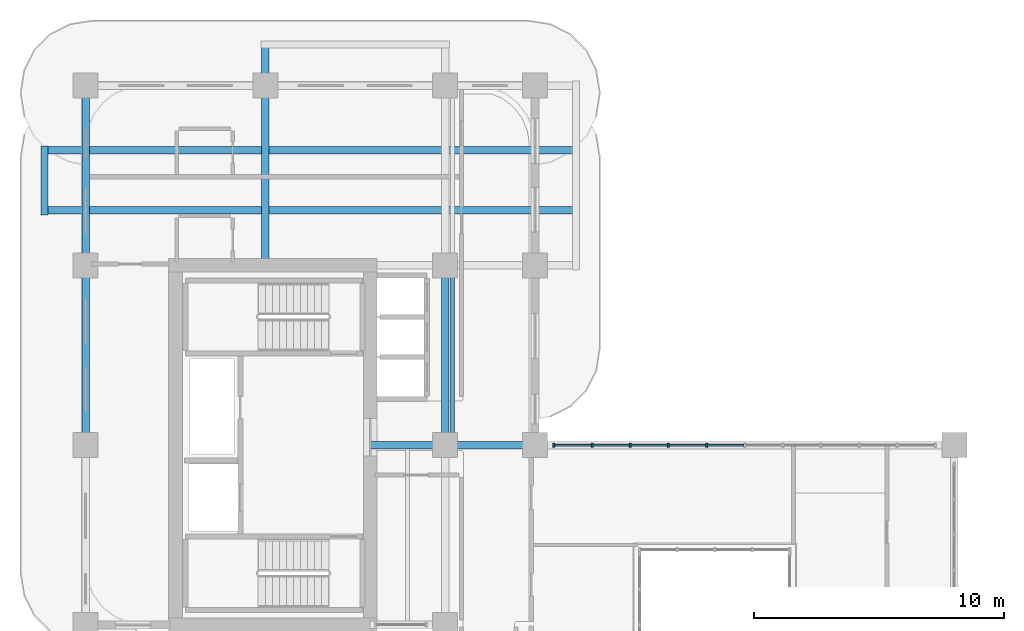
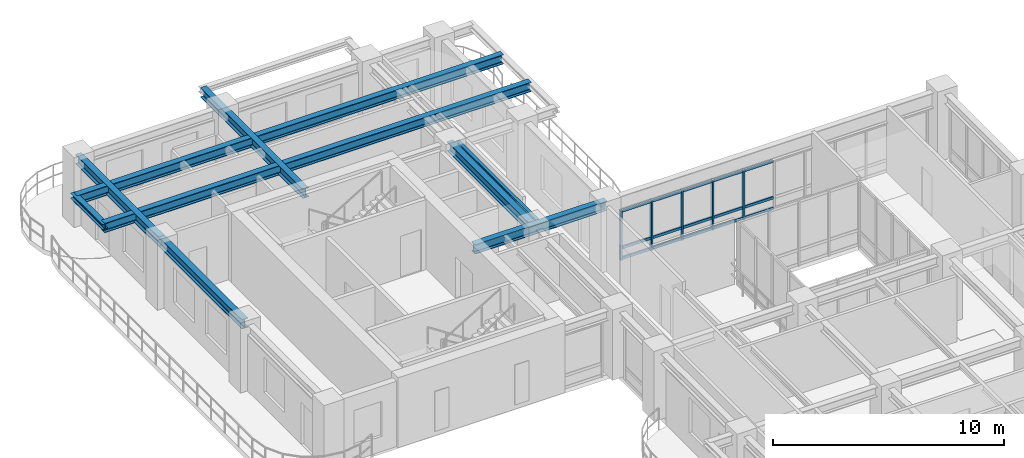
# One storey, part 5 of 20: 20 members, 9 beams, 1 element without a shape of its own.
"""IFC4 building model written with IfcOpenShell, lengths in metres."""

import ifcopenshell
import ifcopenshell.guid

model = None  # the IFC model being written
_history = None  # IfcOwnerHistory: only IFC2X3 demands one
_inside = {}  # id of a spatial element -> (the spatial element, [elements in it])
_under = {}  # id of a project, library or spatial element -> (it, [spatial elements below it])
_declared = {}  # id of a project -> (the project, [libraries it declares])
_typed = {}  # id of a type object -> (the type object, [elements of that type])
_made_of = {}  # id of a material, layer set ... -> (it, [elements and type objects made of it])


def new_model(schema):
    """Start an empty IFC model of exactly this schema.

    Asked for "IFC4X3", IfcOpenShell would pick the latest addendum, in which some entities
    have other attributes; the version numbers below select the first issue.
    IFC2X3 requires an IfcOwnerHistory on every rooted entity: one is made here for all.
    """
    global model, _history
    if schema == "IFC4X3":
        model = ifcopenshell.file(schema_version=(4, 3, 0, 0))
    else:
        model = ifcopenshell.file(schema=schema)
    _inside.clear()
    _under.clear()
    _declared.clear()
    _typed.clear()
    _made_of.clear()
    _history = None
    if model.schema == "IFC2X3":
        org = make("IfcOrganization", Name="unknown")
        user = make(
            "IfcPersonAndOrganization",
            ThePerson=make("IfcPerson", FamilyName="unknown"),
            TheOrganization=org,
        )
        app = make(
            "IfcApplication",
            ApplicationDeveloper=org,
            Version="unknown",
            ApplicationFullName="unknown",
            ApplicationIdentifier="unknown",
        )
        _history = make(
            "IfcOwnerHistory",
            OwningUser=user,
            OwningApplication=app,
            ChangeAction="ADDED",
            CreationDate=0,
        )
    return model


def make(cls, **values):
    """One entity of the class cls with the attributes given. An attribute that is None is left unset."""
    return model.create_entity(
        cls, **{name: value for name, value in values.items() if value is not None}
    )


def rooted(cls, **values):
    """An entity with a GlobalId (a new one), such as an element, a storey or a relation."""
    return make(cls, GlobalId=ifcopenshell.guid.new(), OwnerHistory=_history, **values)


def si_unit(unit_type, name, prefix=None):
    """IfcSIUnit, for example si_unit("LENGTHUNIT", "METRE", prefix="MILLI")."""
    return make("IfcSIUnit", UnitType=unit_type, Prefix=prefix, Name=name)


def derived_unit(unit_type, elements):
    """IfcDerivedUnit: a product of units, each with its exponent."""
    return make(
        "IfcDerivedUnit",
        Elements=[
            make("IfcDerivedUnitElement", Unit=unit, Exponent=power)
            for unit, power in elements
        ],
        UnitType=unit_type,
    )


def assignment(units):
    """IfcUnitAssignment: the units of a project."""
    return None if units is None else make("IfcUnitAssignment", Units=units)


def point(xyz):
    """IfcCartesianPoint."""
    return None if xyz is None else make("IfcCartesianPoint", Coordinates=xyz)


def direction(xyz):
    """IfcDirection."""
    return None if xyz is None else make("IfcDirection", DirectionRatios=xyz)


def frame(location, z_axis=None, x_axis=None):
    """IfcAxis2Placement3D, a coordinate frame: its origin and axes. An axis left out is left unset."""
    return make(
        "IfcAxis2Placement3D",
        Location=point(location),
        Axis=direction(z_axis),
        RefDirection=direction(x_axis),
    )


def frame_2d(location, x_axis=None):
    """IfcAxis2Placement2D, a coordinate frame in the plane: its origin and x axis."""
    return make(
        "IfcAxis2Placement2D", Location=point(location), RefDirection=direction(x_axis)
    )


def origin():
    """The frame at (0, 0, 0) with its axes left unset."""
    return frame((0.0, 0.0, 0.0))


def origin_2d():
    """The frame at (0, 0) in the plane with its x axis left unset."""
    return frame_2d((0.0, 0.0))


def place(relative_to, where):
    """IfcLocalPlacement: puts the frame where relative to a parent placement (None: the world)."""
    return make(
        "IfcLocalPlacement", PlacementRelTo=relative_to, RelativePlacement=where
    )


def context(
    kind, dimensions, precision=None, world=None, true_north=None, identifier=None
):
    """IfcGeometricRepresentationContext, for example the 3D "Model" context."""
    return make(
        "IfcGeometricRepresentationContext",
        ContextIdentifier=identifier,
        ContextType=kind,
        CoordinateSpaceDimension=dimensions,
        Precision=precision,
        WorldCoordinateSystem=world,
        TrueNorth=true_north,
    )


def subcontext(parent, identifier, kind, view, scale=None):
    """IfcGeometricRepresentationSubContext, for example "Body" below "Model"."""
    return make(
        "IfcGeometricRepresentationSubContext",
        ContextIdentifier=identifier,
        ContextType=kind,
        ParentContext=parent,
        TargetScale=scale,
        TargetView=view,
    )


def project(units=None, contexts=None):
    """IfcProject with its units and contexts."""
    return rooted(
        "IfcProject",
        Name="project",
        RepresentationContexts=contexts,
        UnitsInContext=assignment(units),
    )


def spatial(cls, under=None, at=None, **own):
    """A site, building, storey or space (cls), placed at a placement, below another one or the project."""
    s = rooted(cls, ObjectPlacement=at, **own)
    if under is not None:
        _under.setdefault(under.id(), (under, []))[1].append(s)
    return s


def profile(cls, at=None, kind="AREA", **sizes):
    """A parametric profile (cls). Its sizes go by their IFC names, for example OverallWidth=200.0."""
    return make(cls, ProfileType=kind, Position=at, **sizes)


def rectangle(**sizes):
    """IfcRectangleProfileDef."""
    return profile("IfcRectangleProfileDef", **sizes)


def i_section(**sizes):
    """IfcIShapeProfileDef."""
    return profile("IfcIShapeProfileDef", **sizes)


def extrude(swept, where, along, depth):
    """IfcExtrudedAreaSolid: the profile swept, set in the frame where, extruded along a direction by depth."""
    return make(
        "IfcExtrudedAreaSolid",
        SweptArea=swept,
        Position=where,
        ExtrudedDirection=direction(along),
        Depth=depth,
    )


def shape(context_of_items, identifier, shape_type, items):
    """IfcShapeRepresentation: the items that make up one representation, for example the "Body"."""
    return make(
        "IfcShapeRepresentation",
        ContextOfItems=context_of_items,
        RepresentationIdentifier=identifier,
        RepresentationType=shape_type,
        Items=items,
    )


def source(mapping_origin, context_of_items, identifier, shape_type, items):
    """IfcRepresentationMap: a shape defined once, which mapped items show again and again."""
    return make(
        "IfcRepresentationMap",
        MappingOrigin=mapping_origin,
        MappedRepresentation=shape(context_of_items, identifier, shape_type, items),
    )


def transform(
    local_origin,
    x_axis=None,
    y_axis=None,
    z_axis=None,
    scale=None,
    scale2=None,
    scale3=None,
    uniform=True,
):
    """IfcCartesianTransformationOperator3D, or its non-uniform kind. x_axis, y_axis, z_axis: its Axis1, 2, 3."""
    if uniform:
        return make(
            "IfcCartesianTransformationOperator3D",
            Axis1=direction(x_axis),
            Axis2=direction(y_axis),
            LocalOrigin=point(local_origin),
            Scale=scale,
            Axis3=direction(z_axis),
        )
    return make(
        "IfcCartesianTransformationOperator3DnonUniform",
        Axis1=direction(x_axis),
        Axis2=direction(y_axis),
        LocalOrigin=point(local_origin),
        Scale=scale,
        Axis3=direction(z_axis),
        Scale2=scale2,
        Scale3=scale3,
    )


def mapped(mapping_source, mapping_target):
    """IfcMappedItem: shows the shape of a source again, moved by a transform."""
    return make(
        "IfcMappedItem", MappingSource=mapping_source, MappingTarget=mapping_target
    )


def material(Name=None, Category=None):
    """IfcMaterial."""
    return make("IfcMaterial", Name=Name, Category=Category)


def layer(
    of_material, thickness, ventilated=None, Name=None, Category=None, Priority=None
):
    """IfcMaterialLayer: one layer of a wall or slab, of a material (None: an air gap)."""
    return make(
        "IfcMaterialLayer",
        Material=of_material,
        LayerThickness=thickness,
        IsVentilated=ventilated,
        Name=Name,
        Category=Category,
        Priority=Priority,
    )


def layer_set(layers, Name=None):
    """IfcMaterialLayerSet."""
    return make("IfcMaterialLayerSet", MaterialLayers=layers, LayerSetName=Name)


def material_profile(
    of_material, cross_section, Name=None, Category=None, Priority=None
):
    """IfcMaterialProfile: a cross section and its material."""
    return make(
        "IfcMaterialProfile",
        Name=Name,
        Material=of_material,
        Profile=cross_section,
        Priority=Priority,
        Category=Category,
    )


def profile_set(profiles, Name=None, composite=None):
    """IfcMaterialProfileSet."""
    return make(
        "IfcMaterialProfileSet",
        Name=Name,
        MaterialProfiles=profiles,
        CompositeProfile=composite,
    )


def made_of(thing, what):
    """Note that an element or type object is made of a material, layer set ...; save() writes the relation."""
    if what is not None:
        _made_of.setdefault(what.id(), (what, []))[1].append(thing)
    return thing


def type_object(cls, material=None, **own):
    """A type object (cls), such as IfcWallType, which elements share."""
    return made_of(rooted(cls, **own), material)


def type_shapes(of_type, sources):
    """Give a type object the sources (RepresentationMaps) that its elements show as mapped items."""
    of_type.RepresentationMaps = sources


def element(
    cls,
    number,
    at=None,
    inside=None,
    cuts=None,
    type_object=None,
    material=None,
    context=None,
    identifier="Body",
    shape_type=None,
    held_by="IfcProductDefinitionShape",
    body=None,
    shapes=None,
    **own,
):
    """One element of the class cls, such as IfcWall. Its Tag is "e" and its number.

    at: its placement. inside: the storey or other place that contains it. cuts: it is an
    opening in that element (IfcRelVoidsElement). A single representation is given by context,
    identifier, shape_type and body (its items); several are given by shapes. held_by: the class
    of the entity that holds the representations. save() writes the other relations.
    """
    e = rooted(cls, Tag="e%d" % number, ObjectPlacement=at, **own)
    if body is not None:
        shapes = [shape(context, identifier, shape_type, body)]
    if shapes is not None:
        e.Representation = make(held_by, Representations=shapes)
    if inside is not None:
        _inside.setdefault(inside.id(), (inside, []))[1].append(e)
    if cuts is not None:
        rooted(
            "IfcRelVoidsElement", RelatingBuildingElement=cuts, RelatedOpeningElement=e
        )
    if type_object is not None:
        _typed.setdefault(type_object.id(), (type_object, []))[1].append(e)
    return made_of(e, material)


def aggregate(whole, parts):
    """IfcRelAggregates: a whole, such as a stair, and the parts it consists of."""
    return rooted("IfcRelAggregates", RelatingObject=whole, RelatedObjects=parts)


def save(model, path):
    """Write the relations noted so far, then the file.

    IfcRelAggregates (storeys below a building ...), IfcRelContainedInSpatialStructure (elements
    in a storey), IfcRelDefinesByType, IfcRelAssociatesMaterial and IfcRelDeclares: one each for
    every whole, place, type object, material and project.
    """
    for whole, parts in _under.values():
        aggregate(whole, parts)
    for where, things in _inside.values():
        rooted(
            "IfcRelContainedInSpatialStructure",
            RelatedElements=things,
            RelatingStructure=where,
        )
    for kind, things in _typed.values():
        rooted("IfcRelDefinesByType", RelatedObjects=things, RelatingType=kind)
    for what, things in _made_of.values():
        rooted("IfcRelAssociatesMaterial", RelatedObjects=things, RelatingMaterial=what)
    for by, libraries in _declared.values():
        rooted("IfcRelDeclares", RelatingContext=by, RelatedDefinitions=libraries)
    model.write(path)


model = new_model("IFC4")

# Units and contexts
model_context = context("Model", 3, precision=1e-05, world=origin(), true_north=direction((0.0, 1.0)))
body_context = subcontext(model_context, "Body", "Model", "MODEL_VIEW")
ifc_project = project(units=[si_unit("LENGTHUNIT", "METRE"), si_unit("AREAUNIT", "SQUARE_METRE"), si_unit("VOLUMEUNIT", "CUBIC_METRE"), si_unit("PLANEANGLEUNIT", "RADIAN"), si_unit("MASSUNIT", "GRAM", prefix="KILO"), si_unit("THERMODYNAMICTEMPERATUREUNIT", "KELVIN"), si_unit("POWERUNIT", "WATT"), derived_unit("THERMALTRANSMITTANCEUNIT", [(si_unit("POWERUNIT", "WATT"), 1), (si_unit("AREAUNIT", "SQUARE_METRE"), -1), (si_unit("THERMODYNAMICTEMPERATUREUNIT", "KELVIN"), -1)])], contexts=[model_context])

# Site, building, storey
site_placement = place(None, origin())
site = spatial("IfcSite", under=ifc_project, at=site_placement, CompositionType="ELEMENT")
building_placement = place(site_placement, origin())
building = spatial("IfcBuilding", under=site, at=building_placement, Name="Zahravan Archway Hotel and Residences", CompositionType="ELEMENT")
storey_placement = place(building_placement, frame((0.0, 0.0, 122.89990234375)))
storey = spatial("IfcBuildingStorey", under=building, at=storey_placement, Name="L30", CompositionType="ELEMENT", Elevation=122.89990234375)

# Beams
ifc_material_1 = material(Name="Structural Steel S355JR", Category="steel")
ifc_material_profile_1 = material_profile(ifc_material_1, i_section(OverallWidth=0.280029296875, OverallDepth=0.280029296875, WebThickness=0.010498046875, FlangeThickness=0.01806640625, FilletRadius=0.02392578125, at=origin_2d()), Name="HEB 280", Category="steel")
ifc_profile_set_1 = profile_set([ifc_material_profile_1], Name="Structural Steel S355JR")
beam_type_1 = type_object("IfcBeamType", Name="BM-SPN-HEB280", PredefinedType="SPANDREL", material=ifc_profile_set_1)
shared_shape_1 = source(origin(), body_context, "Body", "SweptSolid", [
    extrude(i_section(OverallWidth=0.280029296875, OverallDepth=0.280029296875, WebThickness=0.010498046875, FlangeThickness=0.01806640625, FilletRadius=0.02392578125, at=origin_2d()), origin(), (0.0, 0.0, 1.0), 2.759765625),
])
beam_1_placement = place(storey_placement, frame((-1.64990234375, 41.6201171875, 3.31005859375), z_axis=(0.0, 1.0, 0.0), x_axis=(-1.0, 0.0, 0.0)))
element("IfcBeam", 1, at=beam_1_placement, inside=storey, type_object=beam_type_1, Name="L31 WB Balcony Edge Spandrel", PredefinedType="SPANDREL", context=body_context, shape_type="MappedRepresentation", body=[
    mapped(shared_shape_1, transform((0.0, 0.0, 0.0), scale=1.0)),
])
ifc_material_profile_2 = material_profile(ifc_material_1, i_section(OverallWidth=0.300048828125, OverallDepth=0.5, WebThickness=0.014404296875, FlangeThickness=0.028076171875, FilletRadius=0.027099609375, at=origin_2d()), Name="HEB 500", Category="steel")
ifc_profile_set_2 = profile_set([ifc_material_profile_2], Name="Structural Steel S355JR")
beam_type_2 = type_object("IfcBeamType", Name="BM-PRI-HEB500", PredefinedType="BEAM", material=ifc_profile_set_2)
shared_shape_2 = source(origin(), body_context, "Body", "SweptSolid", [
    extrude(i_section(OverallWidth=0.300048828125, OverallDepth=0.5, WebThickness=0.014404296875, FlangeThickness=0.028076171875, FilletRadius=0.027099609375, at=origin_2d()), origin(), (0.0, 0.0, 1.0), 7.2001953125),
])
type_shapes(beam_type_2, [shared_shape_2])
for number, where, z_axis, x_axis, name in (
    (2, (0.0, 32.39990234375, 3.2001953125), (0.0, 1.0, 0.0), (-1.0, 0.0, 0.0), "L30 Primary Girder NS-25"),
    (3, (14.39990234375, 32.39990234375, 3.2001953125), (0.0, 1.0, 0.0), (-1.0, 0.0, 0.0), "L30 Primary Girder NS-33"),
):
    element("IfcBeam", number, at=place(storey_placement, frame(where, z_axis=z_axis, x_axis=x_axis)), inside=storey, type_object=beam_type_2, Name=name, PredefinedType="BEAM", context=body_context, shape_type="MappedRepresentation", body=[
        mapped(shared_shape_2, transform((0.0, 0.0, 0.0), scale=1.0)),
    ])
shared_shape_3 = source(origin(), body_context, "Body", "SweptSolid", [
    extrude(i_section(OverallWidth=0.300048828125, OverallDepth=0.5, WebThickness=0.014404296875, FlangeThickness=0.028076171875, FilletRadius=0.027099609375, at=origin_2d()), origin(), (0.0, 0.0, 1.0), 7.199951171875),
])
beam_2_placement = place(storey_placement, frame((0.0, 39.60009765625, 3.2001953125), z_axis=(0.0, 1.0, 0.0), x_axis=(-1.0, 0.0, 0.0)))
element("IfcBeam", 4, at=beam_2_placement, inside=storey, type_object=beam_type_2, Name="L30 Primary Girder NS-26", PredefinedType="BEAM", context=body_context, shape_type="MappedRepresentation", body=[
    mapped(shared_shape_3, transform((0.0, 0.0, 0.0), scale=1.0)),
])
shared_shape_4 = source(origin(), body_context, "Body", "SweptSolid", [
    extrude(i_section(OverallWidth=0.300048828125, OverallDepth=0.5, WebThickness=0.014404296875, FlangeThickness=0.028076171875, FilletRadius=0.027099609375, at=origin_2d()), origin(), (0.0, 0.0, 1.0), 6.60009765625),
])
beam_3_placement = place(storey_placement, frame((11.39990234375, 32.39990234375, 3.2001953125), z_axis=(1.0, 0.0, 0.0), x_axis=(0.0, 1.0, 0.0)))
element("IfcBeam", 5, at=beam_3_placement, inside=storey, type_object=beam_type_2, Name="L30 Primary Girder EW-17", PredefinedType="BEAM", context=body_context, shape_type="MappedRepresentation", body=[
    mapped(shared_shape_4, transform((0.0, 0.0, 0.0), scale=1.0)),
])
ifc_material_profile_3 = material_profile(ifc_material_1, i_section(OverallWidth=0.159912109375, OverallDepth=0.330078125, WebThickness=0.007568359375, FlangeThickness=0.011474609375, FilletRadius=0.01806640625, at=origin_2d()), Name="IPE 330", Category="steel")
ifc_profile_set_3 = profile_set([ifc_material_profile_3], Name="Structural Steel S355JR")
beam_type_3 = type_object("IfcBeamType", Name="BM-JST-IPE330", PredefinedType="JOIST", material=ifc_profile_set_3)
shared_shape_5 = source(origin(), body_context, "Body", "SweptSolid", [
    extrude(i_section(OverallWidth=0.159912109375, OverallDepth=0.330078125, WebThickness=0.007568359375, FlangeThickness=0.011474609375, FilletRadius=0.01806640625, at=origin_2d()), origin(), (0.0, 0.0, 1.0), 6.90380859375),
])
beam_4_placement = place(storey_placement, frame((14.699951171875, 32.548095703125, 3.28515625), z_axis=(0.0, 1.0, 0.0), x_axis=(-1.0, 0.0, 0.0)))
element("IfcBeam", 6, at=beam_4_placement, inside=storey, type_object=beam_type_3, Name="L30 Composite Floor Joist 11", PredefinedType="JOIST", context=body_context, shape_type="MappedRepresentation", body=[
    mapped(shared_shape_5, transform((0.0, 0.0, 0.0), scale=1.0)),
])
shared_shape_6 = source(origin(), body_context, "Body", "SweptSolid", [
    extrude(i_section(OverallWidth=0.300048828125, OverallDepth=0.5, WebThickness=0.014404296875, FlangeThickness=0.028076171875, FilletRadius=0.027099609375, at=origin_2d()), origin(), (0.0, 0.0, 1.0), 21.2998046875),
])
for number, where, z_axis, x_axis, name in (
    (7, (-1.64990234375, 41.800048828125, 3.2001953125), (1.0, 0.0, 0.0), (0.0, 1.0, 0.0), "L30 Primary Girder EW-22"),
    (8, (-1.64990234375, 44.199951171875, 3.2001953125), (1.0, 0.0, 0.0), (0.0, 1.0, 0.0), "L30 Primary Girder EW-23"),
):
    element("IfcBeam", number, at=place(storey_placement, frame(where, z_axis=z_axis, x_axis=x_axis)), inside=storey, type_object=beam_type_2, Name=name, PredefinedType="BEAM", context=body_context, shape_type="MappedRepresentation", body=[
        mapped(shared_shape_6, transform((0.0, 0.0, 0.0), scale=1.0)),
    ])
shared_shape_7 = source(origin(), body_context, "Body", "SweptSolid", [
    extrude(i_section(OverallWidth=0.300048828125, OverallDepth=0.5, WebThickness=0.014404296875, FlangeThickness=0.028076171875, FilletRadius=0.027099609375, at=origin_2d()), origin(), (0.0, 0.0, 1.0), 8.849853515625),
])
beam_5_placement = place(storey_placement, frame((7.199951171875, 39.60009765625, 3.2001953125), z_axis=(0.0, 1.0, 0.0), x_axis=(-1.0, 0.0, 0.0)))
element("IfcBeam", 9, at=beam_5_placement, inside=storey, type_object=beam_type_2, Name="L30 Primary Girder NS-27", PredefinedType="BEAM", context=body_context, shape_type="MappedRepresentation", body=[
    mapped(shared_shape_7, transform((0.0, 0.0, 0.0), scale=1.0)),
])

# Curtain wall, members
ifc_material_2 = material(Name="Bronze-Anodized Unitised Aluminium & Low-E Glass", Category="aluminium")
ifc_layer = layer(ifc_material_2, 0.179931640625, Name="Bronze-Anodized Unitised Aluminium & Low-E Glass", Category="aluminium")
ifc_layer_set = layer_set([ifc_layer], Name="Bronze-Anodized Unitised Aluminium & Low-E Glass")
curtain_wall_type = type_object("IfcCurtainWallType", Name="CW-TWR-FEAT", PredefinedType="NOTDEFINED", material=ifc_layer_set)
curtain_wall_placement = place(storey_placement, origin())
curtain_wall = element("IfcCurtainWall", 10, at=curtain_wall_placement, inside=storey, type_object=curtain_wall_type, Name="L30 Curtain Wall CW-L30-HNG-N-1", PredefinedType="NOTDEFINED")
ifc_material_3 = material(Name="Bronze-Anodized Extruded Aluminium", Category="aluminium")
ifc_material_profile_4 = material_profile(ifc_material_3, rectangle(XDim=0.080078125, YDim=0.159912109375, at=origin_2d()), Name="MUL 80x160", Category="aluminium")
ifc_profile_set_4 = profile_set([ifc_material_profile_4], Name="Bronze-Anodized Extruded Aluminium")
member_type_1 = type_object("IfcMemberType", Name="CWM-MUL-160", PredefinedType="MULLION", material=ifc_profile_set_4)
shared_shape_8 = source(origin(), body_context, "Body", "SweptSolid", [
    extrude(rectangle(XDim=0.080078125, YDim=0.159912109375, at=origin_2d()), origin(), (0.0, 0.0, 1.0), 2.635009765625),
])
member_1_placement = place(storey_placement, frame((18.760009765625, 32.39990234375, 0.0), z_axis=(0.0, 0.0, 1.0), x_axis=(1.0, 0.0, 0.0)))
member_1 = element("IfcMember", 11, at=member_1_placement, type_object=member_type_1, Name="CW-L30-HNG-N-1 Mullion 0", PredefinedType="MULLION", context=body_context, shape_type="MappedRepresentation", body=[
    mapped(shared_shape_8, transform((0.0, 0.0, 0.0), scale=1.0)),
])
member_2_placement = place(storey_placement, frame((20.2880859375, 32.39990234375, 0.0), z_axis=(0.0, 0.0, 1.0), x_axis=(1.0, 0.0, 0.0)))
member_2 = element("IfcMember", 12, at=member_2_placement, type_object=member_type_1, Name="CW-L30-HNG-N-1 Mullion 1", PredefinedType="MULLION", context=body_context, shape_type="MappedRepresentation", body=[
    mapped(shared_shape_8, transform((0.0, 0.0, 0.0), scale=1.0)),
])
member_3_placement = place(storey_placement, frame((21.81591796875, 32.39990234375, 0.0), z_axis=(0.0, 0.0, 1.0), x_axis=(1.0, 0.0, 0.0)))
member_3 = element("IfcMember", 13, at=member_3_placement, type_object=member_type_1, Name="CW-L30-HNG-N-1 Mullion 2", PredefinedType="MULLION", context=body_context, shape_type="MappedRepresentation", body=[
    mapped(shared_shape_8, transform((0.0, 0.0, 0.0), scale=1.0)),
])
member_4_placement = place(storey_placement, frame((23.343994140625, 32.39990234375, 0.0), z_axis=(0.0, 0.0, 1.0), x_axis=(1.0, 0.0, 0.0)))
member_4 = element("IfcMember", 14, at=member_4_placement, type_object=member_type_1, Name="CW-L30-HNG-N-1 Mullion 3", PredefinedType="MULLION", context=body_context, shape_type="MappedRepresentation", body=[
    mapped(shared_shape_8, transform((0.0, 0.0, 0.0), scale=1.0)),
])
member_5_placement = place(storey_placement, frame((24.8720703125, 32.39990234375, 0.0), z_axis=(0.0, 0.0, 1.0), x_axis=(1.0, 0.0, 0.0)))
member_5 = element("IfcMember", 15, at=member_5_placement, type_object=member_type_1, Name="CW-L30-HNG-N-1 Mullion 4", PredefinedType="MULLION", context=body_context, shape_type="MappedRepresentation", body=[
    mapped(shared_shape_8, transform((0.0, 0.0, 0.0), scale=1.0)),
])
ifc_material_profile_5 = material_profile(ifc_material_3, rectangle(XDim=0.080078125, YDim=0.139892578125, at=origin_2d()), Name="TRN 80x140", Category="aluminium")
ifc_profile_set_5 = profile_set([ifc_material_profile_5], Name="Bronze-Anodized Extruded Aluminium")
member_type_2 = type_object("IfcMemberType", Name="CWM-TRN-140", PredefinedType="USERDEFINED", material=ifc_profile_set_5)
shared_shape_9 = source(origin(), body_context, "Body", "SweptSolid", [
    extrude(rectangle(XDim=0.080078125, YDim=0.139892578125, at=origin_2d()), origin(), (0.0, 0.0, 1.0), 1.447998046875),
])
member_6_placement = place(storey_placement, frame((18.800048828125, 32.39990234375, 0.070068359375), z_axis=(1.0, 0.0, 0.0), x_axis=(0.0, 1.0, 0.0)))
member_6 = element("IfcMember", 16, at=member_6_placement, type_object=member_type_2, Name="CW-L30-HNG-N-1 Transom 0-1", ObjectType="TRANSOM", PredefinedType="USERDEFINED", context=body_context, shape_type="MappedRepresentation", body=[
    mapped(shared_shape_9, transform((0.0, 0.0, 0.0), scale=1.0)),
])
member_7_placement = place(storey_placement, frame((18.800048828125, 32.39990234375, 0.632568359375), z_axis=(1.0, 0.0, 0.0), x_axis=(0.0, 1.0, 0.0)))
member_7 = element("IfcMember", 17, at=member_7_placement, type_object=member_type_2, Name="CW-L30-HNG-N-1 Transom 0-2", ObjectType="TRANSOM", PredefinedType="USERDEFINED", context=body_context, shape_type="MappedRepresentation", body=[
    mapped(shared_shape_9, transform((0.0, 0.0, 0.0), scale=1.0)),
])
member_8_placement = place(storey_placement, frame((18.800048828125, 32.39990234375, 2.565185546875), z_axis=(1.0, 0.0, 0.0), x_axis=(0.0, 1.0, 0.0)))
member_8 = element("IfcMember", 18, at=member_8_placement, type_object=member_type_2, Name="CW-L30-HNG-N-1 Transom 0-3", ObjectType="TRANSOM", PredefinedType="USERDEFINED", context=body_context, shape_type="MappedRepresentation", body=[
    mapped(shared_shape_9, transform((0.0, 0.0, 0.0), scale=1.0)),
])
member_9_placement = place(storey_placement, frame((20.327880859375, 32.39990234375, 0.070068359375), z_axis=(1.0, 0.0, 0.0), x_axis=(0.0, 1.0, 0.0)))
member_9 = element("IfcMember", 19, at=member_9_placement, type_object=member_type_2, Name="CW-L30-HNG-N-1 Transom 1-1", ObjectType="TRANSOM", PredefinedType="USERDEFINED", context=body_context, shape_type="MappedRepresentation", body=[
    mapped(shared_shape_9, transform((0.0, 0.0, 0.0), scale=1.0)),
])
member_10_placement = place(storey_placement, frame((20.327880859375, 32.39990234375, 0.632568359375), z_axis=(1.0, 0.0, 0.0), x_axis=(0.0, 1.0, 0.0)))
member_10 = element("IfcMember", 20, at=member_10_placement, type_object=member_type_2, Name="CW-L30-HNG-N-1 Transom 1-2", ObjectType="TRANSOM", PredefinedType="USERDEFINED", context=body_context, shape_type="MappedRepresentation", body=[
    mapped(shared_shape_9, transform((0.0, 0.0, 0.0), scale=1.0)),
])
member_11_placement = place(storey_placement, frame((20.327880859375, 32.39990234375, 2.565185546875), z_axis=(1.0, 0.0, 0.0), x_axis=(0.0, 1.0, 0.0)))
member_11 = element("IfcMember", 21, at=member_11_placement, type_object=member_type_2, Name="CW-L30-HNG-N-1 Transom 1-3", ObjectType="TRANSOM", PredefinedType="USERDEFINED", context=body_context, shape_type="MappedRepresentation", body=[
    mapped(shared_shape_9, transform((0.0, 0.0, 0.0), scale=1.0)),
])
member_12_placement = place(storey_placement, frame((21.85595703125, 32.39990234375, 0.070068359375), z_axis=(1.0, 0.0, 0.0), x_axis=(0.0, 1.0, 0.0)))
member_12 = element("IfcMember", 22, at=member_12_placement, type_object=member_type_2, Name="CW-L30-HNG-N-1 Transom 2-1", ObjectType="TRANSOM", PredefinedType="USERDEFINED", context=body_context, shape_type="MappedRepresentation", body=[
    mapped(shared_shape_9, transform((0.0, 0.0, 0.0), scale=1.0)),
])
member_13_placement = place(storey_placement, frame((21.85595703125, 32.39990234375, 0.632568359375), z_axis=(1.0, 0.0, 0.0), x_axis=(0.0, 1.0, 0.0)))
member_13 = element("IfcMember", 23, at=member_13_placement, type_object=member_type_2, Name="CW-L30-HNG-N-1 Transom 2-2", ObjectType="TRANSOM", PredefinedType="USERDEFINED", context=body_context, shape_type="MappedRepresentation", body=[
    mapped(shared_shape_9, transform((0.0, 0.0, 0.0), scale=1.0)),
])
member_14_placement = place(storey_placement, frame((21.85595703125, 32.39990234375, 2.565185546875), z_axis=(1.0, 0.0, 0.0), x_axis=(0.0, 1.0, 0.0)))
member_14 = element("IfcMember", 24, at=member_14_placement, type_object=member_type_2, Name="CW-L30-HNG-N-1 Transom 2-3", ObjectType="TRANSOM", PredefinedType="USERDEFINED", context=body_context, shape_type="MappedRepresentation", body=[
    mapped(shared_shape_9, transform((0.0, 0.0, 0.0), scale=1.0)),
])
member_15_placement = place(storey_placement, frame((23.384033203125, 32.39990234375, 0.070068359375), z_axis=(1.0, 0.0, 0.0), x_axis=(0.0, 1.0, 0.0)))
member_15 = element("IfcMember", 25, at=member_15_placement, type_object=member_type_2, Name="CW-L30-HNG-N-1 Transom 3-1", ObjectType="TRANSOM", PredefinedType="USERDEFINED", context=body_context, shape_type="MappedRepresentation", body=[
    mapped(shared_shape_9, transform((0.0, 0.0, 0.0), scale=1.0)),
])
member_16_placement = place(storey_placement, frame((23.384033203125, 32.39990234375, 0.632568359375), z_axis=(1.0, 0.0, 0.0), x_axis=(0.0, 1.0, 0.0)))
member_16 = element("IfcMember", 26, at=member_16_placement, type_object=member_type_2, Name="CW-L30-HNG-N-1 Transom 3-2", ObjectType="TRANSOM", PredefinedType="USERDEFINED", context=body_context, shape_type="MappedRepresentation", body=[
    mapped(shared_shape_9, transform((0.0, 0.0, 0.0), scale=1.0)),
])
member_17_placement = place(storey_placement, frame((23.384033203125, 32.39990234375, 2.565185546875), z_axis=(1.0, 0.0, 0.0), x_axis=(0.0, 1.0, 0.0)))
member_17 = element("IfcMember", 27, at=member_17_placement, type_object=member_type_2, Name="CW-L30-HNG-N-1 Transom 3-3", ObjectType="TRANSOM", PredefinedType="USERDEFINED", context=body_context, shape_type="MappedRepresentation", body=[
    mapped(shared_shape_9, transform((0.0, 0.0, 0.0), scale=1.0)),
])
member_18_placement = place(storey_placement, frame((24.912109375, 32.39990234375, 0.070068359375), z_axis=(1.0, 0.0, 0.0), x_axis=(0.0, 1.0, 0.0)))
member_18 = element("IfcMember", 28, at=member_18_placement, type_object=member_type_2, Name="CW-L30-HNG-N-1 Transom 4-1", ObjectType="TRANSOM", PredefinedType="USERDEFINED", context=body_context, shape_type="MappedRepresentation", body=[
    mapped(shared_shape_9, transform((0.0, 0.0, 0.0), scale=1.0)),
])
member_19_placement = place(storey_placement, frame((24.912109375, 32.39990234375, 0.632568359375), z_axis=(1.0, 0.0, 0.0), x_axis=(0.0, 1.0, 0.0)))
member_19 = element("IfcMember", 29, at=member_19_placement, type_object=member_type_2, Name="CW-L30-HNG-N-1 Transom 4-2", ObjectType="TRANSOM", PredefinedType="USERDEFINED", context=body_context, shape_type="MappedRepresentation", body=[
    mapped(shared_shape_9, transform((0.0, 0.0, 0.0), scale=1.0)),
])
member_20_placement = place(storey_placement, frame((24.912109375, 32.39990234375, 2.565185546875), z_axis=(1.0, 0.0, 0.0), x_axis=(0.0, 1.0, 0.0)))
member_20 = element("IfcMember", 30, at=member_20_placement, type_object=member_type_2, Name="CW-L30-HNG-N-1 Transom 4-3", ObjectType="TRANSOM", PredefinedType="USERDEFINED", context=body_context, shape_type="MappedRepresentation", body=[
    mapped(shared_shape_9, transform((0.0, 0.0, 0.0), scale=1.0)),
])
aggregate(curtain_wall, [member_1, member_2, member_3, member_4, member_5, member_6, member_7, member_8, member_9, member_10, member_11, member_12, member_13, member_14, member_15, member_16, member_17, member_18, member_19, member_20])

save(model, "model.ifc")
